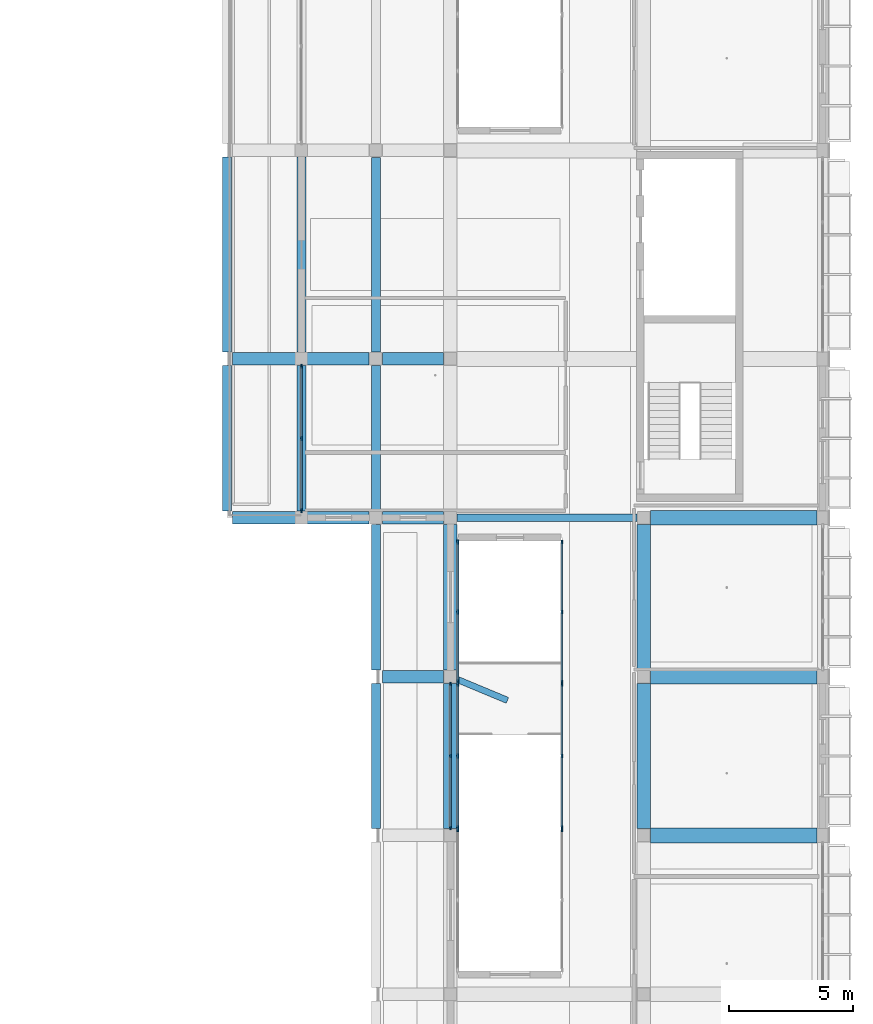
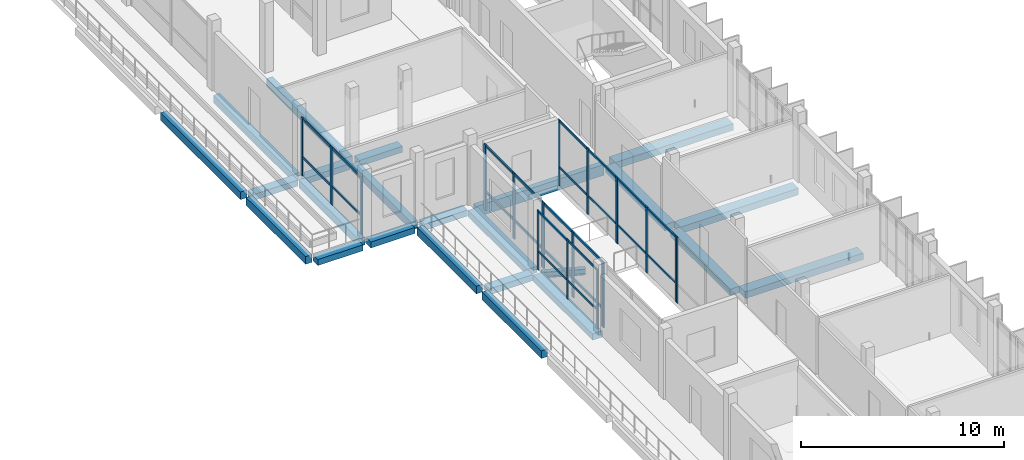
# One storey, part 22 of 85: 32 members, 24 beams, 8 elements without a shape of their own.
"""IFC4 building model written with IfcOpenShell, lengths in metres."""

from ifc_helpers import new_model, si_unit, derived_unit, direction, frame, origin, origin_2d, place, context, subcontext, project, spatial, rectangle, i_section, extrude, material, material_profile, profile_set, type_object, element, aggregate, save


model = new_model("IFC4")

# Units and contexts
model_context = context("Model", 3, precision=1e-05, world=origin(), true_north=direction((0.0, 1.0)))
body_context = subcontext(model_context, "Body", "Model", "MODEL_VIEW")
ifc_project = project(units=[si_unit("LENGTHUNIT", "METRE"), si_unit("AREAUNIT", "SQUARE_METRE"), si_unit("VOLUMEUNIT", "CUBIC_METRE"), si_unit("PLANEANGLEUNIT", "RADIAN"), si_unit("MASSUNIT", "GRAM", prefix="KILO"), derived_unit("THERMALTRANSMITTANCEUNIT", [(si_unit("POWERUNIT", "WATT"), 1), (si_unit("LENGTHUNIT", "METRE"), -2), (si_unit("THERMODYNAMICTEMPERATUREUNIT", "KELVIN"), -1)])], contexts=[model_context])

# Site, building, storey
site_placement = place(None, origin())
site = spatial("IfcSite", under=ifc_project, at=site_placement, CompositionType="ELEMENT")
building_placement = place(site_placement, origin())
building = spatial("IfcBuilding", under=site, at=building_placement, Name="Braskholm Square Health Centre", CompositionType="ELEMENT")
storey_placement = place(building_placement, frame((0.0, 0.0, 9.300048828125)))
storey = spatial("IfcBuildingStorey", under=building, at=storey_placement, Name="L03", CompositionType="ELEMENT", Elevation=9.300048828125)

# Curtain wall, members
ifc_material_1 = material(Name="Low-E triple insulating glass (VLT 0.64)", Category="glass")
curtain_wall_type_1 = type_object("IfcCurtainWallType", Name="UnitisedCurtainWall6200x3650", PredefinedType="NOTDEFINED", material=ifc_material_1)
curtain_wall_1_placement = place(storey_placement, origin())
curtain_wall_1 = element("IfcCurtainWall", 1, at=curtain_wall_1_placement, inside=storey, type_object=curtain_wall_type_1, Name="East Valley unitised curtain wall CW-L03-0124", PredefinedType="NOTDEFINED")
ifc_material_2 = material(Name="Architectural bronze anodised aluminium", Category="aluminium")
ifc_material_profile_1 = material_profile(ifc_material_2, rectangle(XDim=0.06494140625, YDim=0.14990234375, at=origin_2d()), Name="ALU-65X150")
ifc_profile_set_1 = profile_set([ifc_material_profile_1], Name="Architectural bronze anodised aluminium")
member_type_1 = type_object("IfcMemberType", Name="CurtainWallMullion65x150", PredefinedType="MULLION", material=ifc_profile_set_1)
member_1_placement = place(storey_placement, frame((148.800048828125, 42.3046875, 0.0), z_axis=(0.0, 0.0, 1.0), x_axis=(1.0, 0.0, 0.0)))
member_1 = element("IfcMember", 2, at=member_1_placement, type_object=member_type_1, Name="CW-L03-0124 vertical mullion 1", PredefinedType="MULLION", context=body_context, shape_type="SweptSolid", body=[
    extrude(rectangle(XDim=0.06494140625, YDim=0.14990234375, at=origin_2d()), origin(), (0.0, 0.0, 1.0), 3.570068359375),
])
member_2_placement = place(storey_placement, frame((148.800048828125, 39.39990234375, 0.0), z_axis=(0.0, 0.0, 1.0), x_axis=(1.0, 0.0, 0.0)))
member_2 = element("IfcMember", 3, at=member_2_placement, type_object=member_type_1, Name="CW-L03-0124 vertical mullion 2", PredefinedType="MULLION", context=body_context, shape_type="SweptSolid", body=[
    extrude(rectangle(XDim=0.06494140625, YDim=0.14990234375, at=origin_2d()), origin(), (0.0, 0.0, 1.0), 3.570068359375),
])
member_3_placement = place(storey_placement, frame((148.800048828125, 36.495361328125, 0.0), z_axis=(0.0, 0.0, 1.0), x_axis=(1.0, 0.0, 0.0)))
member_3 = element("IfcMember", 4, at=member_3_placement, type_object=member_type_1, Name="CW-L03-0124 vertical mullion 3", PredefinedType="MULLION", context=body_context, shape_type="SweptSolid", body=[
    extrude(rectangle(XDim=0.06494140625, YDim=0.14990234375, at=origin_2d()), origin(), (0.0, 0.0, 1.0), 3.570068359375),
])

# Curtain wall, member
curtain_wall_type_2 = type_object("IfcCurtainWallType", Name="UnitisedCurtainWall5400x4100", PredefinedType="NOTDEFINED", material=ifc_material_1)
curtain_wall_2_placement = place(storey_placement, origin())
curtain_wall_2 = element("IfcCurtainWall", 5, at=curtain_wall_2_placement, inside=storey, type_object=curtain_wall_type_2, Name="EC1 Court E unitised curtain wall CW-L03-0334", PredefinedType="NOTDEFINED")
member_4_placement = place(storey_placement, frame((153.300048828125, 36.427734375, 0.0), z_axis=(0.0, 0.0, 1.0), x_axis=(1.0, 0.0, 0.0)))
member_4 = element("IfcMember", 6, at=member_4_placement, type_object=member_type_1, Name="CW-L03-0334 vertical mullion 1", PredefinedType="MULLION", context=body_context, shape_type="SweptSolid", body=[
    extrude(rectangle(XDim=0.06494140625, YDim=0.14990234375, at=origin_2d()), origin(), (0.0, 0.0, 1.0), 3.949951171875),
])
aggregate(curtain_wall_2, [member_4])

# Curtain wall, members
curtain_wall_type_3 = type_object("IfcCurtainWallType", Name="UnitisedCurtainWall6200x4100", PredefinedType="NOTDEFINED", material=ifc_material_1)
curtain_wall_3_placement = place(storey_placement, origin())
curtain_wall_3 = element("IfcCurtainWall", 7, at=curtain_wall_3_placement, inside=storey, type_object=curtain_wall_type_3, Name="EC1 Court E unitised curtain wall CW-L03-0336", PredefinedType="NOTDEFINED")
member_5_placement = place(storey_placement, frame((153.300048828125, 42.29296875, 0.0), z_axis=(0.0, 0.0, 1.0), x_axis=(1.0, 0.0, 0.0)))
member_5 = element("IfcMember", 8, at=member_5_placement, type_object=member_type_1, Name="CW-L03-0336 vertical mullion 1", PredefinedType="MULLION", context=body_context, shape_type="SweptSolid", body=[
    extrude(rectangle(XDim=0.06494140625, YDim=0.14990234375, at=origin_2d()), origin(), (0.0, 0.0, 1.0), 3.949951171875),
])
member_6_placement = place(storey_placement, frame((153.300048828125, 39.39990234375, 0.0), z_axis=(0.0, 0.0, 1.0), x_axis=(1.0, 0.0, 0.0)))
member_6 = element("IfcMember", 9, at=member_6_placement, type_object=member_type_1, Name="CW-L03-0336 vertical mullion 2", PredefinedType="MULLION", context=body_context, shape_type="SweptSolid", body=[
    extrude(rectangle(XDim=0.06494140625, YDim=0.14990234375, at=origin_2d()), origin(), (0.0, 0.0, 1.0), 3.949951171875),
])
member_7_placement = place(storey_placement, frame((153.300048828125, 36.507080078125, 0.0), z_axis=(0.0, 0.0, 1.0), x_axis=(1.0, 0.0, 0.0)))
member_7 = element("IfcMember", 10, at=member_7_placement, type_object=member_type_1, Name="CW-L03-0336 vertical mullion 3", PredefinedType="MULLION", context=body_context, shape_type="SweptSolid", body=[
    extrude(rectangle(XDim=0.06494140625, YDim=0.14990234375, at=origin_2d()), origin(), (0.0, 0.0, 1.0), 3.949951171875),
])

curtain_wall_4_placement = place(storey_placement, origin())
curtain_wall_4 = element("IfcCurtainWall", 11, at=curtain_wall_4_placement, inside=storey, type_object=curtain_wall_type_2, Name="EC1 Court E unitised curtain wall CW-L03-0338", PredefinedType="NOTDEFINED")
member_8_placement = place(storey_placement, frame((153.300048828125, 48.025634765625, 0.0), z_axis=(0.0, 0.0, 1.0), x_axis=(1.0, 0.0, 0.0)))
member_8 = element("IfcMember", 12, at=member_8_placement, type_object=member_type_1, Name="CW-L03-0338 vertical mullion 1", PredefinedType="MULLION", context=body_context, shape_type="SweptSolid", body=[
    extrude(rectangle(XDim=0.06494140625, YDim=0.14990234375, at=origin_2d()), origin(), (0.0, 0.0, 1.0), 3.949951171875),
])
member_9_placement = place(storey_placement, frame((153.300048828125, 45.198974609375, 0.0), z_axis=(0.0, 0.0, 1.0), x_axis=(1.0, 0.0, 0.0)))
member_9 = element("IfcMember", 13, at=member_9_placement, type_object=member_type_1, Name="CW-L03-0338 vertical mullion 2", PredefinedType="MULLION", context=body_context, shape_type="SweptSolid", body=[
    extrude(rectangle(XDim=0.06494140625, YDim=0.14990234375, at=origin_2d()), origin(), (0.0, 0.0, 1.0), 3.949951171875),
])
member_10_placement = place(storey_placement, frame((153.300048828125, 42.372314453125, 0.0), z_axis=(0.0, 0.0, 1.0), x_axis=(1.0, 0.0, 0.0)))
member_10 = element("IfcMember", 14, at=member_10_placement, type_object=member_type_1, Name="CW-L03-0338 vertical mullion 3", PredefinedType="MULLION", context=body_context, shape_type="SweptSolid", body=[
    extrude(rectangle(XDim=0.06494140625, YDim=0.14990234375, at=origin_2d()), origin(), (0.0, 0.0, 1.0), 3.949951171875),
])

curtain_wall_5_placement = place(storey_placement, origin())
curtain_wall_5 = element("IfcCurtainWall", 15, at=curtain_wall_5_placement, inside=storey, type_object=curtain_wall_type_1, Name="East Valley unitised curtain wall CW-L03-0125", PredefinedType="NOTDEFINED")
ifc_material_profile_2 = material_profile(ifc_material_2, rectangle(XDim=0.074951171875, YDim=0.179931640625, at=origin_2d()), Name="ALU-75X180")
ifc_profile_set_2 = profile_set([ifc_material_profile_2], Name="Architectural bronze anodised aluminium")
member_type_2 = type_object("IfcMemberType", Name="CurtainWallMullion75x180", PredefinedType="MULLION", material=ifc_profile_set_2)
member_11_placement = place(storey_placement, frame((142.800048828125, 55.104736328125, 0.0), z_axis=(0.0, 0.0, 1.0), x_axis=(1.0, 0.0, 0.0)))
member_11 = element("IfcMember", 16, at=member_11_placement, type_object=member_type_2, Name="CW-L03-0125 vertical mullion 1", PredefinedType="MULLION", context=body_context, shape_type="SweptSolid", body=[
    extrude(rectangle(XDim=0.074951171875, YDim=0.179931640625, at=origin_2d()), origin(), (0.0, 0.0, 1.0), 3.489990234375),
])
member_12_placement = place(storey_placement, frame((142.800048828125, 52.199951171875, 0.0), z_axis=(0.0, 0.0, 1.0), x_axis=(1.0, 0.0, 0.0)))
member_12 = element("IfcMember", 17, at=member_12_placement, type_object=member_type_2, Name="CW-L03-0125 vertical mullion 2", PredefinedType="MULLION", context=body_context, shape_type="SweptSolid", body=[
    extrude(rectangle(XDim=0.074951171875, YDim=0.179931640625, at=origin_2d()), origin(), (0.0, 0.0, 1.0), 3.489990234375),
])
member_13_placement = place(storey_placement, frame((142.800048828125, 49.29541015625, 0.0), z_axis=(0.0, 0.0, 1.0), x_axis=(1.0, 0.0, 0.0)))
member_13 = element("IfcMember", 18, at=member_13_placement, type_object=member_type_2, Name="CW-L03-0125 vertical mullion 3", PredefinedType="MULLION", context=body_context, shape_type="SweptSolid", body=[
    extrude(rectangle(XDim=0.074951171875, YDim=0.179931640625, at=origin_2d()), origin(), (0.0, 0.0, 1.0), 3.489990234375),
])

# Curtain wall, member
curtain_wall_6_placement = place(storey_placement, origin())
curtain_wall_6 = element("IfcCurtainWall", 19, at=curtain_wall_6_placement, inside=storey, type_object=curtain_wall_type_2, Name="EC1 Court W unitised curtain wall CW-L03-0333", PredefinedType="NOTDEFINED")
member_14_placement = place(storey_placement, frame((149.10009765625, 36.427734375, 0.0), z_axis=(0.0, 0.0, 1.0), x_axis=(1.0, 0.0, 0.0)))
member_14 = element("IfcMember", 20, at=member_14_placement, type_object=member_type_2, Name="CW-L03-0333 vertical mullion 3", PredefinedType="MULLION", context=body_context, shape_type="SweptSolid", body=[
    extrude(rectangle(XDim=0.074951171875, YDim=0.179931640625, at=origin_2d()), origin(), (0.0, 0.0, 1.0), 3.949951171875),
])
aggregate(curtain_wall_6, [member_14])

# Curtain wall, members
curtain_wall_7_placement = place(storey_placement, origin())
curtain_wall_7 = element("IfcCurtainWall", 21, at=curtain_wall_7_placement, inside=storey, type_object=curtain_wall_type_3, Name="EC1 Court W unitised curtain wall CW-L03-0335", PredefinedType="NOTDEFINED")
member_15_placement = place(storey_placement, frame((149.10009765625, 36.507080078125, 0.0), z_axis=(0.0, 0.0, 1.0), x_axis=(1.0, 0.0, 0.0)))
member_15 = element("IfcMember", 22, at=member_15_placement, type_object=member_type_2, Name="CW-L03-0335 vertical mullion 1", PredefinedType="MULLION", context=body_context, shape_type="SweptSolid", body=[
    extrude(rectangle(XDim=0.074951171875, YDim=0.179931640625, at=origin_2d()), origin(), (0.0, 0.0, 1.0), 3.949951171875),
])
member_16_placement = place(storey_placement, frame((149.10009765625, 39.39990234375, 0.0), z_axis=(0.0, 0.0, 1.0), x_axis=(1.0, 0.0, 0.0)))
member_16 = element("IfcMember", 23, at=member_16_placement, type_object=member_type_2, Name="CW-L03-0335 vertical mullion 2", PredefinedType="MULLION", context=body_context, shape_type="SweptSolid", body=[
    extrude(rectangle(XDim=0.074951171875, YDim=0.179931640625, at=origin_2d()), origin(), (0.0, 0.0, 1.0), 3.949951171875),
])
member_17_placement = place(storey_placement, frame((149.10009765625, 42.29296875, 0.0), z_axis=(0.0, 0.0, 1.0), x_axis=(1.0, 0.0, 0.0)))
member_17 = element("IfcMember", 24, at=member_17_placement, type_object=member_type_2, Name="CW-L03-0335 vertical mullion 3", PredefinedType="MULLION", context=body_context, shape_type="SweptSolid", body=[
    extrude(rectangle(XDim=0.074951171875, YDim=0.179931640625, at=origin_2d()), origin(), (0.0, 0.0, 1.0), 3.949951171875),
])

curtain_wall_8_placement = place(storey_placement, origin())
curtain_wall_8 = element("IfcCurtainWall", 25, at=curtain_wall_8_placement, inside=storey, type_object=curtain_wall_type_2, Name="EC1 Court W unitised curtain wall CW-L03-0337", PredefinedType="NOTDEFINED")
member_18_placement = place(storey_placement, frame((149.10009765625, 42.372314453125, 0.0), z_axis=(0.0, 0.0, 1.0), x_axis=(1.0, 0.0, 0.0)))
member_18 = element("IfcMember", 26, at=member_18_placement, type_object=member_type_2, Name="CW-L03-0337 vertical mullion 1", PredefinedType="MULLION", context=body_context, shape_type="SweptSolid", body=[
    extrude(rectangle(XDim=0.074951171875, YDim=0.179931640625, at=origin_2d()), origin(), (0.0, 0.0, 1.0), 3.949951171875),
])
member_19_placement = place(storey_placement, frame((149.10009765625, 45.198974609375, 0.0), z_axis=(0.0, 0.0, 1.0), x_axis=(1.0, 0.0, 0.0)))
member_19 = element("IfcMember", 27, at=member_19_placement, type_object=member_type_2, Name="CW-L03-0337 vertical mullion 2", PredefinedType="MULLION", context=body_context, shape_type="SweptSolid", body=[
    extrude(rectangle(XDim=0.074951171875, YDim=0.179931640625, at=origin_2d()), origin(), (0.0, 0.0, 1.0), 3.949951171875),
])
member_20_placement = place(storey_placement, frame((149.10009765625, 48.025634765625, 0.0), z_axis=(0.0, 0.0, 1.0), x_axis=(1.0, 0.0, 0.0)))
member_20 = element("IfcMember", 28, at=member_20_placement, type_object=member_type_2, Name="CW-L03-0337 vertical mullion 3", PredefinedType="MULLION", context=body_context, shape_type="SweptSolid", body=[
    extrude(rectangle(XDim=0.074951171875, YDim=0.179931640625, at=origin_2d()), origin(), (0.0, 0.0, 1.0), 3.949951171875),
])

# Member
ifc_material_profile_3 = material_profile(ifc_material_2, rectangle(XDim=0.06494140625, YDim=0.1201171875, at=origin_2d()), Name="ALU-65X120")
ifc_profile_set_3 = profile_set([ifc_material_profile_3], Name="Architectural bronze anodised aluminium")
member_type_3 = type_object("IfcMemberType", Name="CurtainWallTransom65x120", PredefinedType="USERDEFINED", material=ifc_profile_set_3)
member_21_placement = place(storey_placement, frame((148.800048828125, 42.294921875, 1.119873046875), z_axis=(0.0, -1.0, 0.0), x_axis=(1.0, 0.0, 0.0)))
member_21 = element("IfcMember", 29, at=member_21_placement, type_object=member_type_3, Name="CW-L03-0124 horizontal transom 1", ObjectType="TRANSOM", PredefinedType="USERDEFINED", context=body_context, shape_type="SweptSolid", body=[
    extrude(rectangle(XDim=0.06494140625, YDim=0.1201171875, at=origin_2d()), origin(), (0.0, 0.0, 1.0), 5.7900390625),
])

member_22_placement = place(storey_placement, frame((148.800048828125, 42.294921875, 3.5), z_axis=(0.0, -1.0, 0.0), x_axis=(1.0, 0.0, 0.0)))
member_22 = element("IfcMember", 30, at=member_22_placement, type_object=member_type_3, Name="CW-L03-0124 horizontal transom 2", ObjectType="TRANSOM", PredefinedType="USERDEFINED", context=body_context, shape_type="SweptSolid", body=[
    extrude(rectangle(XDim=0.06494140625, YDim=0.1201171875, at=origin_2d()), origin(), (0.0, 0.0, 1.0), 5.7900390625),
])

aggregate(curtain_wall_1, [member_1, member_2, member_3, member_21, member_22])

member_23_placement = place(storey_placement, frame((153.300048828125, 42.282958984375, 1.119873046875), z_axis=(0.0, -1.0, 0.0), x_axis=(1.0, 0.0, 0.0)))
member_23 = element("IfcMember", 31, at=member_23_placement, type_object=member_type_3, Name="CW-L03-0336 horizontal transom 1", ObjectType="TRANSOM", PredefinedType="USERDEFINED", context=body_context, shape_type="SweptSolid", body=[
    extrude(rectangle(XDim=0.06494140625, YDim=0.1201171875, at=origin_2d()), origin(), (0.0, 0.0, 1.0), 5.765869140625),
])

member_24_placement = place(storey_placement, frame((153.300048828125, 42.282958984375, 3.8798828125), z_axis=(0.0, -1.0, 0.0), x_axis=(1.0, 0.0, 0.0)))
member_24 = element("IfcMember", 32, at=member_24_placement, type_object=member_type_3, Name="CW-L03-0336 horizontal transom 2", ObjectType="TRANSOM", PredefinedType="USERDEFINED", context=body_context, shape_type="SweptSolid", body=[
    extrude(rectangle(XDim=0.06494140625, YDim=0.1201171875, at=origin_2d()), origin(), (0.0, 0.0, 1.0), 5.765869140625),
])

aggregate(curtain_wall_3, [member_5, member_6, member_7, member_23, member_24])

member_25_placement = place(storey_placement, frame((153.300048828125, 48.014892578125, 1.119873046875), z_axis=(0.0, -1.0, 0.0), x_axis=(1.0, 0.0, 0.0)))
member_25 = element("IfcMember", 33, at=member_25_placement, type_object=member_type_3, Name="CW-L03-0338 horizontal transom 1", ObjectType="TRANSOM", PredefinedType="USERDEFINED", context=body_context, shape_type="SweptSolid", body=[
    extrude(rectangle(XDim=0.06494140625, YDim=0.1201171875, at=origin_2d()), origin(), (0.0, 0.0, 1.0), 5.6318359375),
])

member_26_placement = place(storey_placement, frame((153.300048828125, 48.014892578125, 3.8798828125), z_axis=(0.0, -1.0, 0.0), x_axis=(1.0, 0.0, 0.0)))
member_26 = element("IfcMember", 34, at=member_26_placement, type_object=member_type_3, Name="CW-L03-0338 horizontal transom 2", ObjectType="TRANSOM", PredefinedType="USERDEFINED", context=body_context, shape_type="SweptSolid", body=[
    extrude(rectangle(XDim=0.06494140625, YDim=0.1201171875, at=origin_2d()), origin(), (0.0, 0.0, 1.0), 5.6318359375),
])

aggregate(curtain_wall_4, [member_8, member_9, member_10, member_25, member_26])

ifc_material_profile_4 = material_profile(ifc_material_2, rectangle(XDim=0.074951171875, YDim=0.139892578125, at=origin_2d()), Name="ALU-75X140")
ifc_profile_set_4 = profile_set([ifc_material_profile_4], Name="Architectural bronze anodised aluminium")
member_type_4 = type_object("IfcMemberType", Name="CurtainWallTransom75x140", PredefinedType="USERDEFINED", material=ifc_profile_set_4)
member_27_placement = place(storey_placement, frame((142.800048828125, 55.094970703125, 1.119873046875), z_axis=(0.0, -1.0, 0.0), x_axis=(1.0, 0.0, 0.0)))
member_27 = element("IfcMember", 35, at=member_27_placement, type_object=member_type_4, Name="CW-L03-0125 horizontal transom 1", ObjectType="TRANSOM", PredefinedType="USERDEFINED", context=body_context, shape_type="SweptSolid", body=[
    extrude(rectangle(XDim=0.074951171875, YDim=0.139892578125, at=origin_2d()), origin(), (0.0, 0.0, 1.0), 5.7900390625),
])

member_28_placement = place(storey_placement, frame((142.800048828125, 55.094970703125, 3.419921875), z_axis=(0.0, -1.0, 0.0), x_axis=(1.0, 0.0, 0.0)))
member_28 = element("IfcMember", 36, at=member_28_placement, type_object=member_type_4, Name="CW-L03-0125 horizontal transom 2", ObjectType="TRANSOM", PredefinedType="USERDEFINED", context=body_context, shape_type="SweptSolid", body=[
    extrude(rectangle(XDim=0.074951171875, YDim=0.139892578125, at=origin_2d()), origin(), (0.0, 0.0, 1.0), 5.7900390625),
])

aggregate(curtain_wall_5, [member_11, member_12, member_13, member_27, member_28])

member_29_placement = place(storey_placement, frame((149.10009765625, 36.51708984375, 1.119873046875), z_axis=(0.0, 1.0, 0.0), x_axis=(-1.0, 0.0, 0.0)))
member_29 = element("IfcMember", 37, at=member_29_placement, type_object=member_type_4, Name="CW-L03-0335 horizontal transom 1", ObjectType="TRANSOM", PredefinedType="USERDEFINED", context=body_context, shape_type="SweptSolid", body=[
    extrude(rectangle(XDim=0.074951171875, YDim=0.139892578125, at=origin_2d()), origin(), (0.0, 0.0, 1.0), 5.765869140625),
])

member_30_placement = place(storey_placement, frame((149.10009765625, 36.51708984375, 3.8798828125), z_axis=(0.0, 1.0, 0.0), x_axis=(-1.0, 0.0, 0.0)))
member_30 = element("IfcMember", 38, at=member_30_placement, type_object=member_type_4, Name="CW-L03-0335 horizontal transom 2", ObjectType="TRANSOM", PredefinedType="USERDEFINED", context=body_context, shape_type="SweptSolid", body=[
    extrude(rectangle(XDim=0.074951171875, YDim=0.139892578125, at=origin_2d()), origin(), (0.0, 0.0, 1.0), 5.765869140625),
])

aggregate(curtain_wall_7, [member_15, member_16, member_17, member_29, member_30])

member_31_placement = place(storey_placement, frame((149.10009765625, 42.383056640625, 1.119873046875), z_axis=(0.0, 1.0, 0.0), x_axis=(-1.0, 0.0, 0.0)))
member_31 = element("IfcMember", 39, at=member_31_placement, type_object=member_type_4, Name="CW-L03-0337 horizontal transom 1", ObjectType="TRANSOM", PredefinedType="USERDEFINED", context=body_context, shape_type="SweptSolid", body=[
    extrude(rectangle(XDim=0.074951171875, YDim=0.139892578125, at=origin_2d()), origin(), (0.0, 0.0, 1.0), 5.6318359375),
])

member_32_placement = place(storey_placement, frame((149.10009765625, 42.383056640625, 3.8798828125), z_axis=(0.0, 1.0, 0.0), x_axis=(-1.0, 0.0, 0.0)))
member_32 = element("IfcMember", 40, at=member_32_placement, type_object=member_type_4, Name="CW-L03-0337 horizontal transom 2", ObjectType="TRANSOM", PredefinedType="USERDEFINED", context=body_context, shape_type="SweptSolid", body=[
    extrude(rectangle(XDim=0.074951171875, YDim=0.139892578125, at=origin_2d()), origin(), (0.0, 0.0, 1.0), 5.6318359375),
])

aggregate(curtain_wall_8, [member_18, member_19, member_20, member_31, member_32])

# Beams
ifc_material_3 = material(Name="Concrete C35/45 (f'c = 35 MPa)", Category="concrete")
ifc_material_profile_5 = material_profile(ifc_material_3, rectangle(XDim=0.5, YDim=0.360107421875, at=origin_2d()), Name="RCB-500X360")
ifc_profile_set_5 = profile_set([ifc_material_profile_5], Name="Concrete C35/45 (f'c = 35 MPa)")
beam_type_1 = type_object("IfcBeamType", Name="PrimaryBandBeam500x360", PredefinedType="BEAM", material=ifc_profile_set_5)
beam_1_placement = place(storey_placement, frame((146.074951171875, 42.60009765625, -0.429931640625), z_axis=(1.0, 0.0, 0.0), x_axis=(0.0, 1.0, 0.0)))
element("IfcBeam", 41, at=beam_1_placement, inside=storey, type_object=beam_type_1, Name="Beam 19-20/G L03", PredefinedType="BEAM", context=body_context, shape_type="SweptSolid", body=[
    extrude(rectangle(XDim=0.5, YDim=0.360107421875, at=origin_2d()), origin(), (0.0, 0.0, 1.0), 2.449951171875),
])
beam_2_placement = place(storey_placement, frame((140.02001953125, 49.0, -0.429931640625), z_axis=(1.0, 0.0, 0.0), x_axis=(0.0, 1.0, 0.0)))
element("IfcBeam", 42, at=beam_2_placement, inside=storey, type_object=beam_type_1, Name="Beam 17-18/H L03", PredefinedType="BEAM", context=body_context, shape_type="SweptSolid", body=[
    extrude(rectangle(XDim=0.5, YDim=0.360107421875, at=origin_2d()), origin(), (0.0, 0.0, 1.0), 2.56005859375),
])
beam_3_placement = place(storey_placement, frame((143.02001953125, 49.0, -0.429931640625), z_axis=(1.0, 0.0, 0.0), x_axis=(0.0, 1.0, 0.0)))
element("IfcBeam", 43, at=beam_3_placement, inside=storey, type_object=beam_type_1, Name="Beam 18-19/H L03", PredefinedType="BEAM", context=body_context, shape_type="SweptSolid", body=[
    extrude(rectangle(XDim=0.5, YDim=0.360107421875, at=origin_2d()), origin(), (0.0, 0.0, 1.0), 2.5048828125),
])
beam_4_placement = place(storey_placement, frame((146.074951171875, 49.0, -0.429931640625), z_axis=(1.0, 0.0, 0.0), x_axis=(0.0, 1.0, 0.0)))
element("IfcBeam", 44, at=beam_4_placement, inside=storey, type_object=beam_type_1, Name="Beam 19-20/H L03", PredefinedType="BEAM", context=body_context, shape_type="SweptSolid", body=[
    extrude(rectangle(XDim=0.5, YDim=0.360107421875, at=origin_2d()), origin(), (0.0, 0.0, 1.0), 2.449951171875),
])
beam_5_placement = place(storey_placement, frame((140.02001953125, 55.39990234375, -0.429931640625), z_axis=(1.0, 0.0, 0.0), x_axis=(0.0, 1.0, 0.0)))
element("IfcBeam", 45, at=beam_5_placement, inside=storey, type_object=beam_type_1, Name="Beam 17-18/J L03", PredefinedType="BEAM", context=body_context, shape_type="SweptSolid", body=[
    extrude(rectangle(XDim=0.5, YDim=0.360107421875, at=origin_2d()), origin(), (0.0, 0.0, 1.0), 2.56005859375),
])
beam_6_placement = place(storey_placement, frame((143.02001953125, 55.39990234375, -0.47998046875), z_axis=(1.0, 0.0, 0.0), x_axis=(0.0, 1.0, 0.0)))
element("IfcBeam", 46, at=beam_6_placement, inside=storey, type_object=beam_type_1, Name="Beam 18-19/J L03", PredefinedType="BEAM", context=body_context, shape_type="SweptSolid", body=[
    extrude(rectangle(XDim=0.5, YDim=0.360107421875, at=origin_2d()), origin(), (0.0, 0.0, 1.0), 2.5048828125),
])
beam_7_placement = place(storey_placement, frame((146.074951171875, 55.39990234375, -0.47998046875), z_axis=(1.0, 0.0, 0.0), x_axis=(0.0, 1.0, 0.0)))
element("IfcBeam", 47, at=beam_7_placement, inside=storey, type_object=beam_type_1, Name="Beam 19-20/J L03", PredefinedType="BEAM", context=body_context, shape_type="SweptSolid", body=[
    extrude(rectangle(XDim=0.5, YDim=0.360107421875, at=origin_2d()), origin(), (0.0, 0.0, 1.0), 2.449951171875),
])
ifc_material_profile_6 = material_profile(ifc_material_3, rectangle(XDim=0.550048828125, YDim=0.3798828125, at=origin_2d()), Name="RCB-550X380")
ifc_profile_set_6 = profile_set([ifc_material_profile_6], Name="Concrete C35/45 (f'c = 35 MPa)")
beam_type_2 = type_object("IfcBeamType", Name="PrimaryBandBeam550x380", PredefinedType="BEAM", material=ifc_profile_set_6)
beam_8_placement = place(storey_placement, frame((148.800048828125, 36.47509765625, -0.43994140625), z_axis=(0.0, 1.0, 0.0), x_axis=(-1.0, 0.0, 0.0)))
element("IfcBeam", 48, at=beam_8_placement, inside=storey, type_object=beam_type_2, Name="Beam 20/F-G L03", PredefinedType="BEAM", context=body_context, shape_type="SweptSolid", body=[
    extrude(rectangle(XDim=0.550048828125, YDim=0.3798828125, at=origin_2d()), origin(), (0.0, 0.0, 1.0), 5.849853515625),
])
beam_9_placement = place(storey_placement, frame((148.800048828125, 42.875, -0.43994140625), z_axis=(0.0, 1.0, 0.0), x_axis=(-1.0, 0.0, 0.0)))
element("IfcBeam", 49, at=beam_9_placement, inside=storey, type_object=beam_type_2, Name="Beam 20/G-H L03", PredefinedType="BEAM", context=body_context, shape_type="SweptSolid", body=[
    extrude(rectangle(XDim=0.550048828125, YDim=0.3798828125, at=origin_2d()), origin(), (0.0, 0.0, 1.0), 5.85009765625),
])
beam_10_placement = place(storey_placement, frame((156.60009765625, 36.47509765625, -0.489990234375), z_axis=(0.0, 1.0, 0.0), x_axis=(-1.0, 0.0, 0.0)))
element("IfcBeam", 50, at=beam_10_placement, inside=storey, type_object=beam_type_2, Name="Beam 21/F-G L03", PredefinedType="BEAM", context=body_context, shape_type="SweptSolid", body=[
    extrude(rectangle(XDim=0.550048828125, YDim=0.3798828125, at=origin_2d()), origin(), (0.0, 0.0, 1.0), 5.849853515625),
])
beam_11_placement = place(storey_placement, frame((156.60009765625, 42.875, -0.489990234375), z_axis=(0.0, 1.0, 0.0), x_axis=(-1.0, 0.0, 0.0)))
element("IfcBeam", 51, at=beam_11_placement, inside=storey, type_object=beam_type_2, Name="Beam 21/G-H L03", PredefinedType="BEAM", context=body_context, shape_type="SweptSolid", body=[
    extrude(rectangle(XDim=0.550048828125, YDim=0.3798828125, at=origin_2d()), origin(), (0.0, 0.0, 1.0), 5.85009765625),
])
ifc_material_profile_7 = material_profile(ifc_material_3, rectangle(XDim=0.60009765625, YDim=0.39990234375, at=origin_2d()), Name="RCB-600X400")
ifc_profile_set_7 = profile_set([ifc_material_profile_7], Name="Concrete C35/45 (f'c = 35 MPa)")
beam_type_3 = type_object("IfcBeamType", Name="PrimaryBandBeam600x400", PredefinedType="BEAM", material=ifc_profile_set_7)
for number, where, z_axis, x_axis, name in (
    (52, (156.875, 36.199951171875, -0.5), (1.0, 0.0, 0.0), (0.0, 1.0, 0.0), "Beam 21-22/F L03"),
    (53, (156.875, 42.60009765625, -0.5), (1.0, 0.0, 0.0), (0.0, 1.0, 0.0), "Beam 21-22/G L03"),
    (54, (156.875, 49.0, -0.5), (1.0, 0.0, 0.0), (0.0, 1.0, 0.0), "Beam 21-22/H L03"),
):
    element("IfcBeam", number, at=place(storey_placement, frame(where, z_axis=z_axis, x_axis=x_axis)), inside=storey, type_object=beam_type_3, Name=name, PredefinedType="BEAM", context=body_context, shape_type="SweptSolid", body=[
        extrude(rectangle(XDim=0.60009765625, YDim=0.39990234375, at=origin_2d()), origin(), (0.0, 0.0, 1.0), 6.695068359375),
    ])
ifc_material_4 = material(Name="Concrete C40/50 (f'c = 40 MPa)", Category="concrete")
ifc_material_profile_8 = material_profile(ifc_material_4, rectangle(XDim=0.300048828125, YDim=0.64990234375, at=origin_2d()), Name="RCB-300X650")
ifc_profile_set_8 = profile_set([ifc_material_profile_8], Name="Concrete C40/50 (f'c = 40 MPa)")
beam_type_4 = type_object("IfcBeamType", Name="PrimaryCoreCoupling300x650", PredefinedType="BEAM", material=ifc_profile_set_8)
beam_12_placement = place(storey_placement, frame((149.074951171875, 49.0, -0.625), z_axis=(1.0, 0.0, 0.0), x_axis=(0.0, 1.0, 0.0)))
element("IfcBeam", 55, at=beam_12_placement, inside=storey, type_object=beam_type_4, Name="Beam 20-21/H L03", PredefinedType="BEAM", context=body_context, shape_type="SweptSolid", body=[
    extrude(rectangle(XDim=0.300048828125, YDim=0.64990234375, at=origin_2d()), origin(), (0.0, 0.0, 1.0), 7.25),
])
ifc_material_5 = material(Name="Precast concrete C40/50 architectural white", Category="concrete")
ifc_material_profile_9 = material_profile(ifc_material_5, rectangle(XDim=0.360107421875, YDim=0.4599609375, at=origin_2d()), Name="RCB-360X460")
ifc_profile_set_9 = profile_set([ifc_material_profile_9], Name="Precast concrete C40/50 architectural white")
beam_type_5 = type_object("IfcBeamType", Name="SpandrelTerraceEdge360x460", PredefinedType="SPANDREL", material=ifc_profile_set_9)
beam_13_placement = place(storey_placement, frame((139.800048828125, 49.27001953125, -0.47998046875), z_axis=(0.0, 1.0, 0.0), x_axis=(-1.0, 0.0, 0.0)))
element("IfcBeam", 56, at=beam_13_placement, inside=storey, type_object=beam_type_5, Name="Beam 17/H-J L03", PredefinedType="SPANDREL", context=body_context, shape_type="SweptSolid", body=[
    extrude(rectangle(XDim=0.360107421875, YDim=0.4599609375, at=origin_2d()), origin(), (0.0, 0.0, 1.0), 5.85986328125),
])
beam_14_placement = place(storey_placement, frame((139.800048828125, 55.669921875, -0.47998046875), z_axis=(0.0, 1.0, 0.0), x_axis=(-1.0, 0.0, 0.0)))
element("IfcBeam", 57, at=beam_14_placement, inside=storey, type_object=beam_type_5, Name="Beam 17/J-K L03", PredefinedType="SPANDREL", context=body_context, shape_type="SweptSolid", body=[
    extrude(rectangle(XDim=0.360107421875, YDim=0.4599609375, at=origin_2d()), origin(), (0.0, 0.0, 1.0), 7.860107421875),
])
beam_15_placement = place(storey_placement, frame((142.800048828125, 49.27001953125, -0.47998046875), z_axis=(0.0, 1.0, 0.0), x_axis=(-1.0, 0.0, 0.0)))
element("IfcBeam", 58, at=beam_15_placement, inside=storey, type_object=beam_type_5, Name="Beam 18/H-J L03", PredefinedType="SPANDREL", context=body_context, shape_type="SweptSolid", body=[
    extrude(rectangle(XDim=0.360107421875, YDim=0.4599609375, at=origin_2d()), origin(), (0.0, 0.0, 1.0), 5.85986328125),
])
beam_16_placement = place(storey_placement, frame((142.800048828125, 55.669921875, -0.47998046875), z_axis=(0.0, 1.0, 0.0), x_axis=(-1.0, 0.0, 0.0)))
element("IfcBeam", 59, at=beam_16_placement, inside=storey, type_object=beam_type_5, Name="Beam 18/J-K L03", PredefinedType="SPANDREL", context=body_context, shape_type="SweptSolid", body=[
    extrude(rectangle(XDim=0.360107421875, YDim=0.4599609375, at=origin_2d()), origin(), (0.0, 0.0, 1.0), 7.860107421875),
])
beam_17_placement = place(storey_placement, frame((145.800048828125, 36.47509765625, -0.47998046875), z_axis=(0.0, 1.0, 0.0), x_axis=(-1.0, 0.0, 0.0)))
element("IfcBeam", 60, at=beam_17_placement, inside=storey, type_object=beam_type_5, Name="Beam 19/F-G L03", PredefinedType="SPANDREL", context=body_context, shape_type="SweptSolid", body=[
    extrude(rectangle(XDim=0.360107421875, YDim=0.4599609375, at=origin_2d()), origin(), (0.0, 0.0, 1.0), 5.849853515625),
])
for number, where, z_axis, x_axis, name in (
    (61, (145.800048828125, 42.875, -0.47998046875), (0.0, 1.0, 0.0), (-1.0, 0.0, 0.0), "Beam 19/G-H L03"),
    (62, (145.800048828125, 49.27490234375, -0.530029296875), (0.0, 1.0, 0.0), (-1.0, 0.0, 0.0), "Beam 19/H-J L03"),
):
    element("IfcBeam", number, at=place(storey_placement, frame(where, z_axis=z_axis, x_axis=x_axis)), inside=storey, type_object=beam_type_5, Name=name, PredefinedType="SPANDREL", context=body_context, shape_type="SweptSolid", body=[
        extrude(rectangle(XDim=0.360107421875, YDim=0.4599609375, at=origin_2d()), origin(), (0.0, 0.0, 1.0), 5.85009765625),
    ])
beam_18_placement = place(storey_placement, frame((145.800048828125, 55.675048828125, -0.530029296875), z_axis=(0.0, 1.0, 0.0), x_axis=(-1.0, 0.0, 0.0)))
element("IfcBeam", 63, at=beam_18_placement, inside=storey, type_object=beam_type_5, Name="Beam 19/J-K L03", PredefinedType="SPANDREL", context=body_context, shape_type="SweptSolid", body=[
    extrude(rectangle(XDim=0.360107421875, YDim=0.4599609375, at=origin_2d()), origin(), (0.0, 0.0, 1.0), 7.849853515625),
])
ifc_material_6 = material(Name="Steel ASTM A992 Grade 50", Category="steel")
ifc_material_profile_10 = material_profile(ifc_material_6, i_section(OverallWidth=0.2548828125, OverallDepth=0.35693359375, WebThickness=0.010498046875, FlangeThickness=0.018310546875, at=origin_2d()), Name="W14X68")
ifc_profile_set_10 = profile_set([ifc_material_profile_10], Name="Steel ASTM A992 Grade 50")
beam_type_6 = type_object("IfcBeamType", Name="SteelBeamCanopyW14X68", PredefinedType="BEAM", material=ifc_profile_set_10)
beam_19_placement = place(storey_placement, frame((151.10009765625, 41.6416015625, -0.478515625), z_axis=(-0.923083502119, 0.384599594535, 0.0), x_axis=(-0.384599594535, -0.923083502119, 0.0)))
element("IfcBeam", 64, at=beam_19_placement, inside=storey, type_object=beam_type_6, Name="Tie beam CS3D L03", PredefinedType="BEAM", context=body_context, shape_type="SweptSolid", body=[
    extrude(i_section(OverallWidth=0.2548828125, OverallDepth=0.35693359375, WebThickness=0.010498046875, FlangeThickness=0.018310546875, at=origin_2d()), origin(), (0.0, 0.0, 1.0), 2.19580078125),
])

save(model, "model.ifc")
